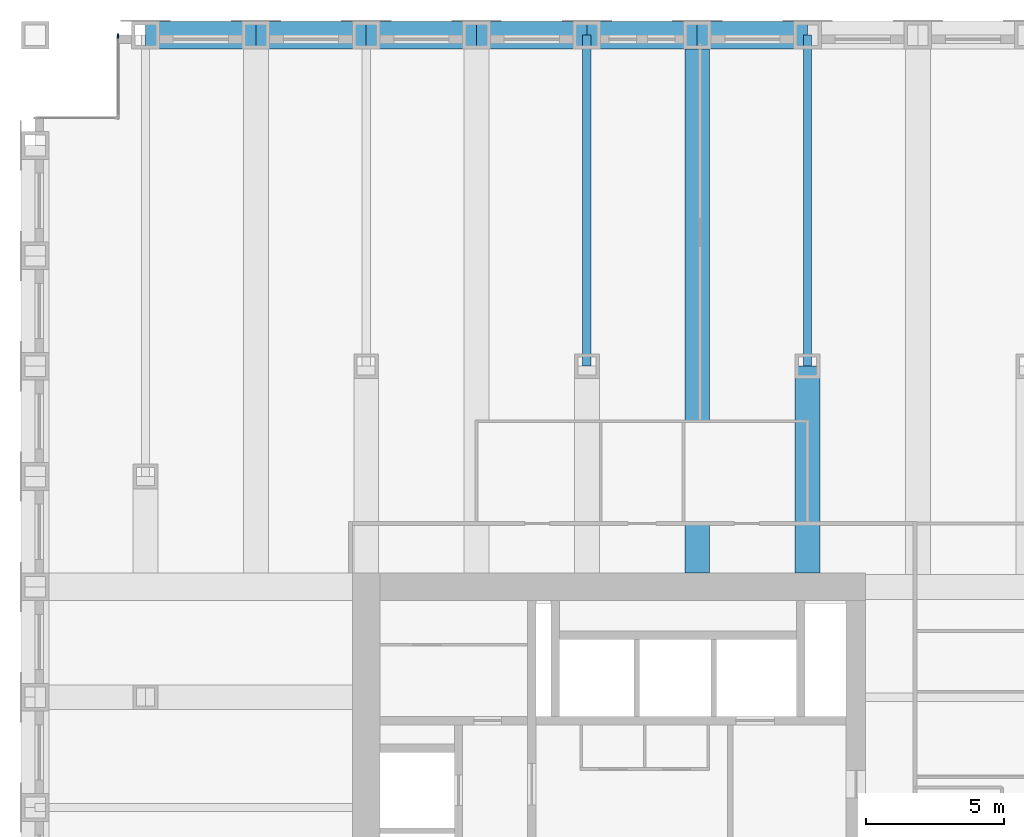
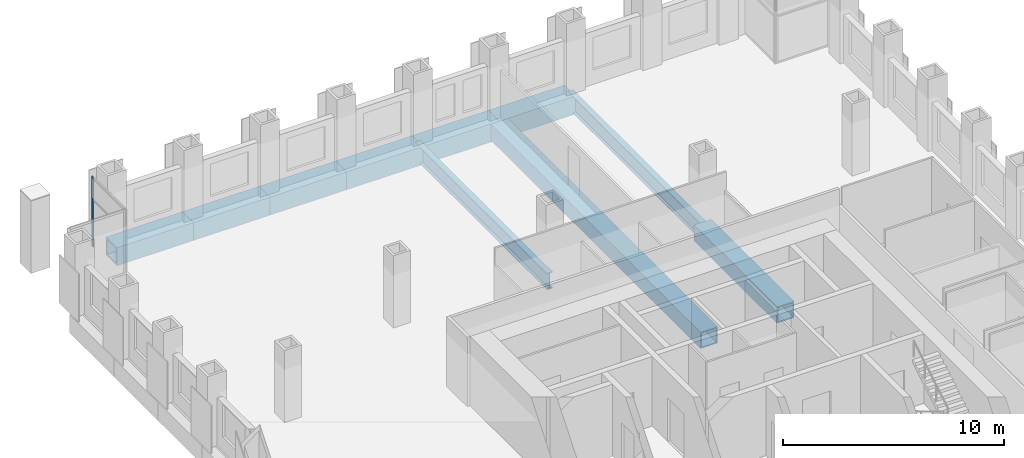
# One storey, part 6 of 13: 10 beams, 2 members, 2 elements without a shape of their own.
"""IFC4 building model written with IfcOpenShell, lengths in metres."""

from ifc_helpers import new_model, si_unit, direction, frame, origin, origin_2d, place, context, subcontext, project, spatial, rectangle, hollow_rectangle, i_section, extrude, material, material_profile, profile_set, type_object, element, aggregate, save


model = new_model("IFC4")

# Units and contexts
model_context = context("Model", 3, precision=1e-05, world=origin(), true_north=direction((0.0, 1.0)))
body_context = subcontext(model_context, "Body", "Model", "MODEL_VIEW")
ifc_project = project(units=[si_unit("LENGTHUNIT", "METRE"), si_unit("AREAUNIT", "SQUARE_METRE"), si_unit("VOLUMEUNIT", "CUBIC_METRE"), si_unit("PLANEANGLEUNIT", "RADIAN"), si_unit("MASSUNIT", "GRAM", prefix="KILO")], contexts=[model_context])

# Site, building, storey
site_placement = place(None, origin())
site = spatial("IfcSite", under=ifc_project, at=site_placement, CompositionType="ELEMENT")
building_placement = place(site_placement, origin())
building = spatial("IfcBuilding", under=site, at=building_placement, Name="Rimbunsela Tower", CompositionType="ELEMENT")
storey_placement = place(building_placement, frame((0.0, 0.0, 199.800048828125)))
storey = spatial("IfcBuildingStorey", under=building, at=storey_placement, Name="L48", CompositionType="ELEMENT", Elevation=199.800048828125)

# Beams
ifc_material_1 = material(Name="Steel BJ 55 (fy 410 MPa)", Category="steel")
ifc_material_profile_1 = material_profile(ifc_material_1, hollow_rectangle(XDim=1.0, YDim=1.0, WallThickness=0.10009765625, at=origin_2d()), Name="BOX 1000x1000x100")
ifc_profile_set_1 = profile_set([ifc_material_profile_1], Name="Steel BJ 55 (fy 410 MPa)")
beam_type_1 = type_object("IfcBeamType", Name="Beam BOX 1000x1000x100", PredefinedType="BEAM", material=ifc_profile_set_1)
for number, where, z_axis, x_axis, name in (
    (1, (10.0, 56.0, -0.650146484375), (1.0, 0.0, 0.0), (0.0, 1.0, 0.0), "Beam B3 L48"),
    (2, (14.0, 56.0, -0.650146484375), (1.0, 0.0, 0.0), (0.0, 1.0, 0.0), "Beam B3 L48"),
    (3, (18.0, 56.0, -0.650146484375), (1.0, 0.0, 0.0), (0.0, 1.0, 0.0), "Beam B3 L48"),
    (4, (22.0, 56.0, -0.650146484375), (1.0, 0.0, 0.0), (0.0, 1.0, 0.0), "Beam B3 L48"),
    (5, (26.0, 56.0, -0.650146484375), (1.0, 0.0, 0.0), (0.0, 1.0, 0.0), "Beam B3 L48"),
    (6, (30.0, 56.0, -0.650146484375), (1.0, 0.0, 0.0), (0.0, 1.0, 0.0), "Beam B3 L48"),
):
    element("IfcBeam", number, at=place(storey_placement, frame(where, z_axis=z_axis, x_axis=x_axis)), inside=storey, type_object=beam_type_1, Name=name, PredefinedType="BEAM", context=body_context, shape_type="SweptSolid", body=[
        extrude(hollow_rectangle(XDim=1.0, YDim=1.0, WallThickness=0.10009765625, at=origin_2d()), origin(), (0.0, 0.0, 1.0), 4.0),
    ])
ifc_material_2 = material(Name="Steel BJ 55 (fy 410 MPa)", Category="steel")
ifc_material_profile_2 = material_profile(ifc_material_2, hollow_rectangle(XDim=0.89990234375, YDim=0.89990234375, WallThickness=0.06005859375, at=origin_2d()), Name="BOX 900x900x60")
ifc_profile_set_2 = profile_set([ifc_material_profile_2], Name="Steel BJ 55 (fy 410 MPa)")
beam_type_2 = type_object("IfcBeamType", Name="Beam BOX 900x900x60", PredefinedType="BEAM", material=ifc_profile_set_2)
beam_1_placement = place(storey_placement, frame((30.0, 36.5, -0.60009765625), z_axis=(0.0, 1.0, 0.0), x_axis=(-1.0, 0.0, 0.0)))
element("IfcBeam", 7, at=beam_1_placement, inside=storey, type_object=beam_type_2, Name="Beam B1 L48", PredefinedType="BEAM", context=body_context, shape_type="SweptSolid", body=[
    extrude(hollow_rectangle(XDim=0.89990234375, YDim=0.89990234375, WallThickness=0.06005859375, at=origin_2d()), origin(), (0.0, 0.0, 1.0), 19.5),
])
beam_2_placement = place(storey_placement, frame((34.0, 36.5, -0.60009765625), z_axis=(0.0, 1.0, 0.0), x_axis=(-1.0, 0.0, 0.0)))
element("IfcBeam", 8, at=beam_2_placement, inside=storey, type_object=beam_type_2, Name="Beam B1 L48", PredefinedType="BEAM", context=body_context, shape_type="SweptSolid", body=[
    extrude(hollow_rectangle(XDim=0.89990234375, YDim=0.89990234375, WallThickness=0.06005859375, at=origin_2d()), origin(), (0.0, 0.0, 1.0), 7.5),
])
ifc_material_3 = material(Name="Steel BJ 55 (fy 410 MPa)", Category="steel")
ifc_material_profile_3 = material_profile(ifc_material_3, i_section(OverallWidth=0.300048828125, OverallDepth=0.89990234375, WebThickness=0.01611328125, FlangeThickness=0.028076171875, FilletRadius=0.028076171875, at=origin_2d()), Name="H 900x300x16x28")
ifc_profile_set_3 = profile_set([ifc_material_profile_3], Name="Steel BJ 55 (fy 410 MPa)")
beam_type_3 = type_object("IfcBeamType", Name="Beam H 900x300x16x28", PredefinedType="BEAM", material=ifc_profile_set_3)
for number, where, z_axis, x_axis, name in (
    (9, (26.0, 44.0, -0.60009765625), (0.0, 1.0, 0.0), (-1.0, 0.0, 0.0), "Beam B2 L48"),
    (10, (34.0, 44.0, -0.60009765625), (0.0, 1.0, 0.0), (-1.0, 0.0, 0.0), "Beam B2 L48"),
):
    element("IfcBeam", number, at=place(storey_placement, frame(where, z_axis=z_axis, x_axis=x_axis)), inside=storey, type_object=beam_type_3, Name=name, PredefinedType="BEAM", context=body_context, shape_type="SweptSolid", body=[
        extrude(i_section(OverallWidth=0.300048828125, OverallDepth=0.89990234375, WebThickness=0.01611328125, FlangeThickness=0.028076171875, FilletRadius=0.028076171875, at=origin_2d()), origin(), (0.0, 0.0, 1.0), 12.0),
    ])

# Curtain wall, member
ifc_material_4 = material(Name="Aluminium curtain wall", Category="aluminium")
curtain_wall_type_1 = type_object("IfcCurtainWallType", Name="Corner glazing", PredefinedType="USERDEFINED", material=ifc_material_4)
curtain_wall_1_placement = place(storey_placement, origin())
curtain_wall_1 = element("IfcCurtainWall", 11, at=curtain_wall_1_placement, inside=storey, type_object=curtain_wall_type_1, Name="Corner glazing L48", ObjectType="CORNER GLAZING", PredefinedType="USERDEFINED")
ifc_material_5 = material(Name="Aluminium mullion", Category="aluminium")
ifc_material_profile_4 = material_profile(ifc_material_5, rectangle(XDim=0.06005859375, YDim=0.159912109375, at=origin_2d()), Name="Mullion 60x160")
ifc_profile_set_4 = profile_set([ifc_material_profile_4], Name="Aluminium mullion")
member_type = type_object("IfcMemberType", Name="Curtain wall mullion 60x160", PredefinedType="MULLION", material=ifc_profile_set_4)
member_1_placement = place(storey_placement, frame((9.0, 55.969970703125, 0.0), z_axis=(0.0, 0.0, 1.0), x_axis=(1.0, 0.0, 0.0)))
member_1 = element("IfcMember", 12, at=member_1_placement, type_object=member_type, Name="CW5 mullion 1", PredefinedType="MULLION", context=body_context, shape_type="SweptSolid", body=[
    extrude(rectangle(XDim=0.06005859375, YDim=0.159912109375, at=origin_2d()), origin(), (0.0, 0.0, 1.0), 2.64990234375),
])
aggregate(curtain_wall_1, [member_1])

ifc_material_6 = material(Name="Aluminium curtain wall", Category="aluminium")
curtain_wall_type_2 = type_object("IfcCurtainWallType", Name="Spandrel wall", PredefinedType="USERDEFINED", material=ifc_material_6)
curtain_wall_2_placement = place(storey_placement, origin())
curtain_wall_2 = element("IfcCurtainWall", 13, at=curtain_wall_2_placement, inside=storey, type_object=curtain_wall_type_2, Name="Spandrel wall L48", ObjectType="SPANDREL WALL", PredefinedType="USERDEFINED")
member_2_placement = place(storey_placement, frame((9.0, 55.969970703125, 2.64990234375), z_axis=(0.0, 0.0, 1.0), x_axis=(1.0, 0.0, 0.0)))
member_2 = element("IfcMember", 14, at=member_2_placement, type_object=member_type, Name="CW7 mullion 1", PredefinedType="MULLION", context=body_context, shape_type="SweptSolid", body=[
    extrude(rectangle(XDim=0.06005859375, YDim=0.159912109375, at=origin_2d()), origin(), (0.0, 0.0, 1.0), 1.199951171875),
])
aggregate(curtain_wall_2, [member_2])

save(model, "model.ifc")
